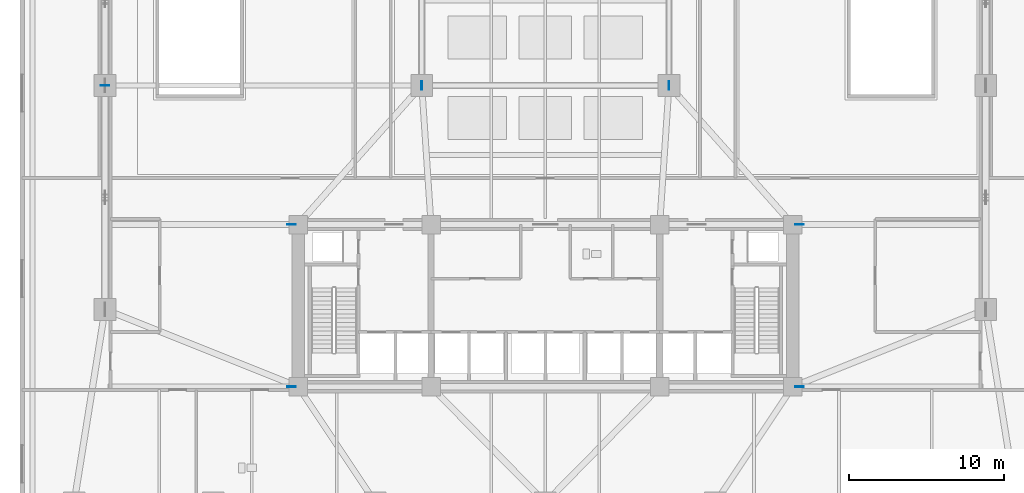
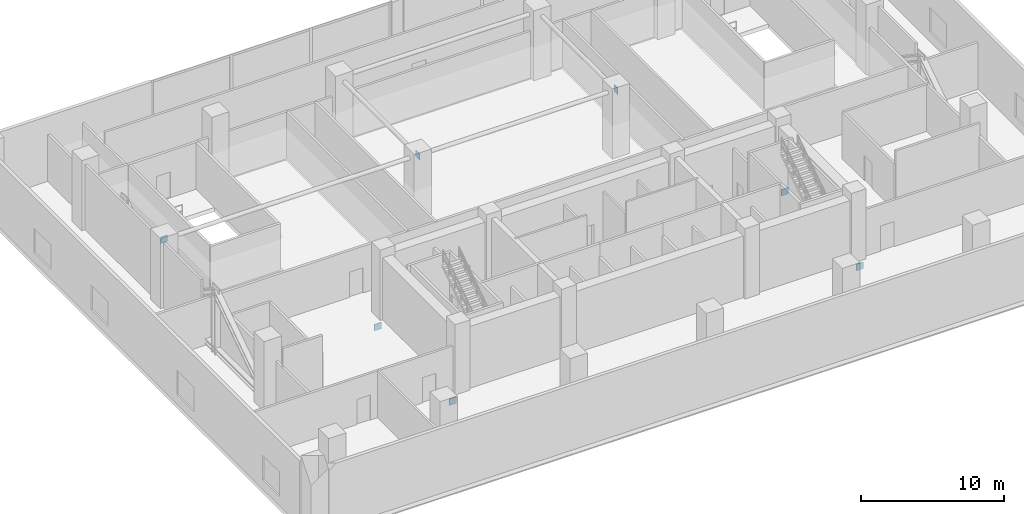
# One storey, part 9 of 16: 7 plates.
"""IFC4 building model written with IfcOpenShell, lengths in metres."""

from ifc_helpers import new_model, si_unit, direction, frame, origin, origin_2d, place, context, subcontext, project, spatial, rectangle, extrude, material, layer, layer_set, type_object, element, save


model = new_model("IFC4")

# Units and contexts
model_context = context("Model", 3, precision=1e-05, world=origin(), true_north=direction((0.0, 1.0)))
body_context = subcontext(model_context, "Body", "Model", "MODEL_VIEW")
ifc_project = project(units=[si_unit("LENGTHUNIT", "METRE"), si_unit("AREAUNIT", "SQUARE_METRE"), si_unit("VOLUMEUNIT", "CUBIC_METRE"), si_unit("PLANEANGLEUNIT", "RADIAN"), si_unit("MASSUNIT", "GRAM", prefix="KILO")], contexts=[model_context])

# Site, building, storey
site_placement = place(None, origin())
site = spatial("IfcSite", under=ifc_project, at=site_placement, CompositionType="ELEMENT")
building_placement = place(site_placement, origin())
building = spatial("IfcBuilding", under=site, at=building_placement, Name="Solmavex Isthmus Hotel", CompositionType="ELEMENT")
storey_placement = place(building_placement, frame((0.0, 0.0, 20.39990234375)))
storey = spatial("IfcBuildingStorey", under=building, at=storey_placement, Name="L05", CompositionType="ELEMENT", Elevation=20.39990234375)

# Plates
ifc_material = material(Name="Steel ASTM A572 Grade 50", Category="steel")
ifc_layer_1 = layer(ifc_material, 0.06005859375)
ifc_layer_set_1 = layer_set([ifc_layer_1], Name="Steel ASTM A572 Grade 50")
plate_type_1 = type_object("IfcPlateType", Name="PLT-EMBED-60", PredefinedType="USERDEFINED", material=ifc_layer_set_1)
for number, where, z_axis, x_axis, name in (
    (1, (-16.43603515625, -2.5, -1.205078125), (0.0, 0.0, 1.0), (1.0, 0.0, 0.0), "Outrigger Strut Core Cast-In Embedment Stiffener Plate 019"),
    (2, (16.43603515625, -2.5, -1.205078125), (0.0, 0.0, 1.0), (1.0, 0.0, 0.0), "Outrigger Strut Core Cast-In Embedment Stiffener Plate 020"),
    (3, (-16.43603515625, -13.0, -1.205078125), (0.0, 0.0, 1.0), (1.0, 0.0, 0.0), "Outrigger Strut Core Cast-In Embedment Stiffener Plate 021"),
    (4, (16.43603515625, -13.0, -1.205078125), (0.0, 0.0, 1.0), (1.0, 0.0, 0.0), "Outrigger Strut Core Cast-In Embedment Stiffener Plate 022"),
):
    element("IfcPlate", number, at=place(storey_placement, frame(where, z_axis=z_axis, x_axis=x_axis)), inside=storey, type_object=plate_type_1, Name=name, ObjectType="STIFFENER_PLATE", PredefinedType="USERDEFINED", context=body_context, shape_type="SweptSolid", body=[
        extrude(rectangle(XDim=0.550048828125, YDim=0.06005859375, at=origin_2d()), origin(), (0.0, 0.0, 1.0), 0.550048828125),
    ])
ifc_layer_2 = layer(ifc_material, 0.0400390625)
ifc_layer_set_2 = layer_set([ifc_layer_2], Name="Steel ASTM A572 Grade 50")
plate_type_2 = type_object("IfcPlateType", Name="PLT-STIFF-40", PredefinedType="USERDEFINED", material=ifc_layer_set_2)
for number, where, z_axis, x_axis, name in (
    (5, (-8.0, 6.5, 5.01513671875), (0.0, 0.0, 1.0), (0.0, 1.0, 0.0), "Skylight Brace End Plate 001"),
    (6, (8.0, 6.5, 5.01513671875), (0.0, 0.0, 1.0), (0.0, 1.0, 0.0), "Skylight Brace End Plate 003"),
    (7, (-28.5, 6.5, 5.01513671875), (0.0, 0.0, 1.0), (1.0, 0.0, 0.0), "Skylight Brace End Plate 005"),
):
    element("IfcPlate", number, at=place(storey_placement, frame(where, z_axis=z_axis, x_axis=x_axis)), inside=storey, type_object=plate_type_2, Name=name, ObjectType="STIFFENER_PLATE", PredefinedType="USERDEFINED", context=body_context, shape_type="SweptSolid", body=[
        extrude(rectangle(XDim=0.550048828125, YDim=0.0400390625, at=origin_2d()), origin(), (0.0, 0.0, 1.0), 0.550048828125),
    ])

save(model, "model.ifc")
